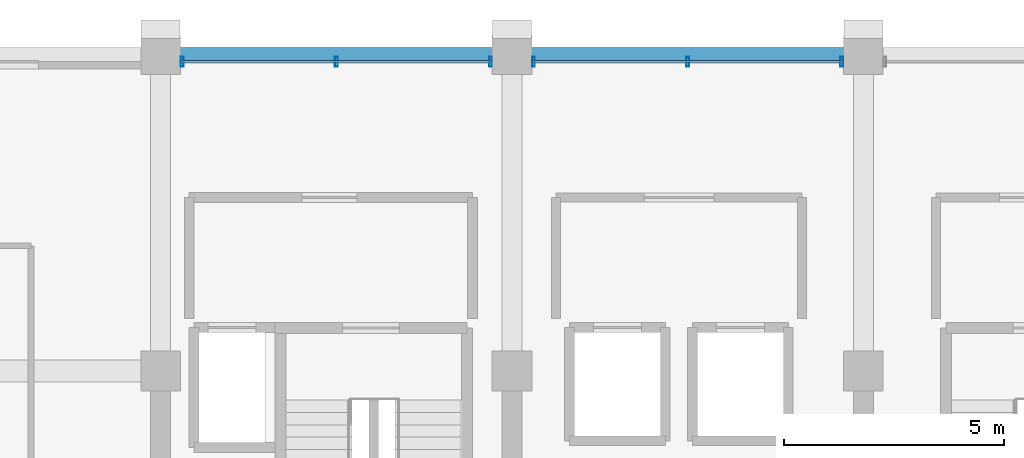
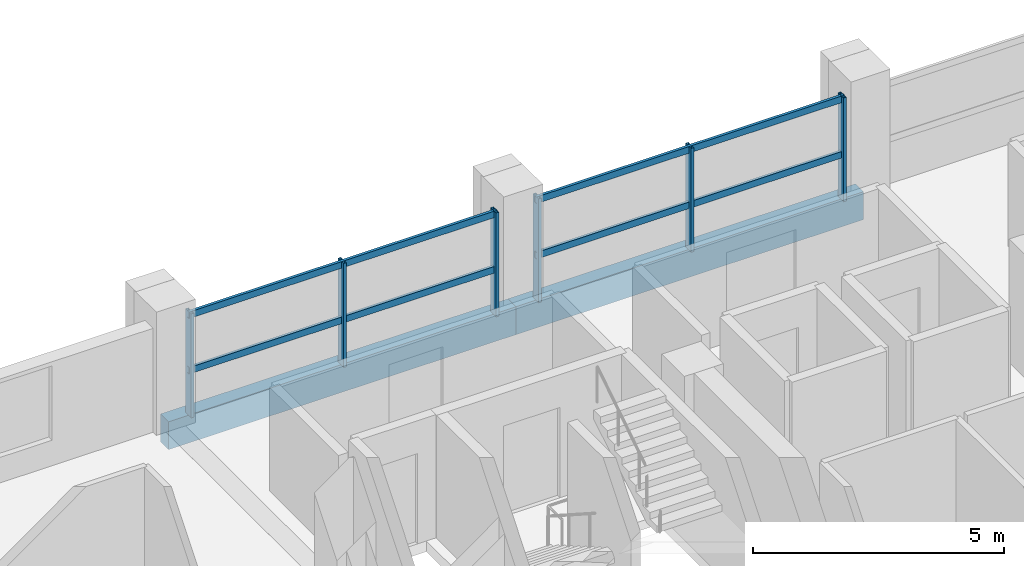
# One storey, part 10 of 22: 10 members, 2 beams, 2 elements without a shape of their own.
"""IFC4 building model written with IfcOpenShell, lengths in metres."""

from ifc_helpers import new_model, si_unit, direction, frame, origin, origin_2d, place, context, subcontext, project, spatial, rectangle, hollow_rectangle, extrude, material, material_profile, profile_set, type_object, element, aggregate, save


model = new_model("IFC4")

# Units and contexts
model_context = context("Model", 3, precision=1e-05, world=origin(), true_north=direction((0.0, 1.0)))
body_context = subcontext(model_context, "Body", "Model", "MODEL_VIEW")
ifc_project = project(units=[si_unit("LENGTHUNIT", "METRE"), si_unit("AREAUNIT", "SQUARE_METRE"), si_unit("VOLUMEUNIT", "CUBIC_METRE"), si_unit("PLANEANGLEUNIT", "RADIAN"), si_unit("MASSUNIT", "GRAM", prefix="KILO")], contexts=[model_context])

# Site, building, storey
site_placement = place(None, origin())
site = spatial("IfcSite", under=ifc_project, at=site_placement, CompositionType="ELEMENT")
building_placement = place(site_placement, origin())
building = spatial("IfcBuilding", under=site, at=building_placement, Name="Akrevak Sports Hall", CompositionType="ELEMENT")
storey_placement = place(building_placement, frame((0.0, 0.0, 30.800048828125)))
storey = spatial("IfcBuildingStorey", under=building, at=storey_placement, Name="L06", CompositionType="ELEMENT", Elevation=30.800048828125)

# Curtain wall, members
ifc_material_1 = material(Name="Anodized Bronze Aluminium & Low-E Glass", Category="aluminium")
curtain_wall_type = type_object("IfcCurtainWallType", Name="ARC-CW-TWR-64x30", PredefinedType="NOTDEFINED", material=ifc_material_1)
curtain_wall_1_placement = place(storey_placement, origin())
curtain_wall_1 = element("IfcCurtainWall", 1, at=curtain_wall_1_placement, inside=storey, type_object=curtain_wall_type, Name="Curtain Wall CW-L06-N24", PredefinedType="NOTDEFINED")
ifc_material_2 = material(Name="Anodized Bronze Aluminium", Category="aluminium")
ifc_material_profile_1 = material_profile(ifc_material_2, hollow_rectangle(XDim=0.06494140625, YDim=0.219970703125, WallThickness=0.00439453125, at=origin_2d()), Name="CWM 65x220", Category="aluminium")
ifc_profile_set_1 = profile_set([ifc_material_profile_1], Name="Anodized Bronze Aluminium")
member_type_1 = type_object("IfcMemberType", Name="ARC-CWM-70x160", PredefinedType="MULLION", material=ifc_profile_set_1)
member_1_placement = place(storey_placement, frame((75.510009765625, 69.43994140625, 0.0), z_axis=(0.0, 0.0, 1.0), x_axis=(-1.0, 0.0, 0.0)))
member_1 = element("IfcMember", 2, at=member_1_placement, type_object=member_type_1, Name="Curtain Wall Mullion CW-L06-N24-M1", PredefinedType="MULLION", context=body_context, shape_type="SweptSolid", body=[
    extrude(hollow_rectangle(XDim=0.06494140625, YDim=0.219970703125, WallThickness=0.00439453125, at=origin_2d()), origin(), (0.0, 0.0, 1.0), 2.530029296875),
])
member_2_placement = place(storey_placement, frame((72.0, 69.43994140625, 0.0), z_axis=(0.0, 0.0, 1.0), x_axis=(-1.0, 0.0, 0.0)))
member_2 = element("IfcMember", 3, at=member_2_placement, type_object=member_type_1, Name="Curtain Wall Mullion CW-L06-N24-M2", PredefinedType="MULLION", context=body_context, shape_type="SweptSolid", body=[
    extrude(hollow_rectangle(XDim=0.06494140625, YDim=0.219970703125, WallThickness=0.00439453125, at=origin_2d()), origin(), (0.0, 0.0, 1.0), 2.530029296875),
])
member_3_placement = place(storey_placement, frame((68.489990234375, 69.43994140625, 0.0), z_axis=(0.0, 0.0, 1.0), x_axis=(-1.0, 0.0, 0.0)))
member_3 = element("IfcMember", 4, at=member_3_placement, type_object=member_type_1, Name="Curtain Wall Mullion CW-L06-N24-M3", PredefinedType="MULLION", context=body_context, shape_type="SweptSolid", body=[
    extrude(hollow_rectangle(XDim=0.06494140625, YDim=0.219970703125, WallThickness=0.00439453125, at=origin_2d()), origin(), (0.0, 0.0, 1.0), 2.530029296875),
])

curtain_wall_2_placement = place(storey_placement, origin())
curtain_wall_2 = element("IfcCurtainWall", 5, at=curtain_wall_2_placement, inside=storey, type_object=curtain_wall_type, Name="Curtain Wall CW-L06-N25", PredefinedType="NOTDEFINED")
member_4_placement = place(storey_placement, frame((67.510009765625, 69.43994140625, 0.0), z_axis=(0.0, 0.0, 1.0), x_axis=(-1.0, 0.0, 0.0)))
member_4 = element("IfcMember", 6, at=member_4_placement, type_object=member_type_1, Name="Curtain Wall Mullion CW-L06-N25-M1", PredefinedType="MULLION", context=body_context, shape_type="SweptSolid", body=[
    extrude(hollow_rectangle(XDim=0.06494140625, YDim=0.219970703125, WallThickness=0.00439453125, at=origin_2d()), origin(), (0.0, 0.0, 1.0), 2.530029296875),
])
member_5_placement = place(storey_placement, frame((64.0, 69.43994140625, 0.0), z_axis=(0.0, 0.0, 1.0), x_axis=(-1.0, 0.0, 0.0)))
member_5 = element("IfcMember", 7, at=member_5_placement, type_object=member_type_1, Name="Curtain Wall Mullion CW-L06-N25-M2", PredefinedType="MULLION", context=body_context, shape_type="SweptSolid", body=[
    extrude(hollow_rectangle(XDim=0.06494140625, YDim=0.219970703125, WallThickness=0.00439453125, at=origin_2d()), origin(), (0.0, 0.0, 1.0), 2.530029296875),
])
member_6_placement = place(storey_placement, frame((60.489990234375, 69.43994140625, 0.0), z_axis=(0.0, 0.0, 1.0), x_axis=(-1.0, 0.0, 0.0)))
member_6 = element("IfcMember", 8, at=member_6_placement, type_object=member_type_1, Name="Curtain Wall Mullion CW-L06-N25-M3", PredefinedType="MULLION", context=body_context, shape_type="SweptSolid", body=[
    extrude(hollow_rectangle(XDim=0.06494140625, YDim=0.219970703125, WallThickness=0.00439453125, at=origin_2d()), origin(), (0.0, 0.0, 1.0), 2.530029296875),
])

# Member
ifc_material_profile_2 = material_profile(ifc_material_2, hollow_rectangle(XDim=0.06494140625, YDim=0.159912109375, WallThickness=0.00390625, at=origin_2d()), Name="CWT 65x160", Category="aluminium")
ifc_profile_set_2 = profile_set([ifc_material_profile_2], Name="Anodized Bronze Aluminium")
member_type_2 = type_object("IfcMemberType", Name="ARC-CWT-70x130", PredefinedType="USERDEFINED", material=ifc_profile_set_2)
member_7_placement = place(storey_placement, frame((75.550048828125, 69.43994140625, 1.099853515625), z_axis=(-1.0, 0.0, 0.0), x_axis=(0.0, -1.0, 0.0)))
member_7 = element("IfcMember", 9, at=member_7_placement, type_object=member_type_2, Name="Curtain Wall Transom CW-L06-N24-T1", ObjectType="TRANSOM", PredefinedType="USERDEFINED", context=body_context, shape_type="SweptSolid", body=[
    extrude(hollow_rectangle(XDim=0.06494140625, YDim=0.159912109375, WallThickness=0.00390625, at=origin_2d()), origin(), (0.0, 0.0, 1.0), 7.10009765625),
])

member_8_placement = place(storey_placement, frame((75.550048828125, 69.43994140625, 2.449951171875), z_axis=(-1.0, 0.0, 0.0), x_axis=(0.0, -1.0, 0.0)))
member_8 = element("IfcMember", 10, at=member_8_placement, type_object=member_type_2, Name="Curtain Wall Transom CW-L06-N24-T2", ObjectType="TRANSOM", PredefinedType="USERDEFINED", context=body_context, shape_type="SweptSolid", body=[
    extrude(hollow_rectangle(XDim=0.06494140625, YDim=0.159912109375, WallThickness=0.00390625, at=origin_2d()), origin(), (0.0, 0.0, 1.0), 7.10009765625),
])

aggregate(curtain_wall_1, [member_1, member_2, member_3, member_7, member_8])

member_9_placement = place(storey_placement, frame((67.550048828125, 69.43994140625, 1.099853515625), z_axis=(-1.0, 0.0, 0.0), x_axis=(0.0, -1.0, 0.0)))
member_9 = element("IfcMember", 11, at=member_9_placement, type_object=member_type_2, Name="Curtain Wall Transom CW-L06-N25-T1", ObjectType="TRANSOM", PredefinedType="USERDEFINED", context=body_context, shape_type="SweptSolid", body=[
    extrude(hollow_rectangle(XDim=0.06494140625, YDim=0.159912109375, WallThickness=0.00390625, at=origin_2d()), origin(), (0.0, 0.0, 1.0), 7.10009765625),
])

member_10_placement = place(storey_placement, frame((67.550048828125, 69.43994140625, 2.449951171875), z_axis=(-1.0, 0.0, 0.0), x_axis=(0.0, -1.0, 0.0)))
member_10 = element("IfcMember", 12, at=member_10_placement, type_object=member_type_2, Name="Curtain Wall Transom CW-L06-N25-T2", ObjectType="TRANSOM", PredefinedType="USERDEFINED", context=body_context, shape_type="SweptSolid", body=[
    extrude(hollow_rectangle(XDim=0.06494140625, YDim=0.159912109375, WallThickness=0.00390625, at=origin_2d()), origin(), (0.0, 0.0, 1.0), 7.10009765625),
])

aggregate(curtain_wall_2, [member_4, member_5, member_6, member_9, member_10])

# Beams
ifc_material_3 = material(Name="Concrete C40/50", Category="concrete")
ifc_material_profile_3 = material_profile(ifc_material_3, rectangle(XDim=0.320068359375, YDim=0.679931640625, at=origin_2d()), Name="SPD 320x680", Category="concrete")
ifc_profile_set_3 = profile_set([ifc_material_profile_3], Name="Concrete C40/50")
beam_type = type_object("IfcBeamType", Name="STR-SPD-RC320x680", PredefinedType="SPANDREL", material=ifc_profile_set_3)
for number, where, z_axis, x_axis, name in (
    (13, (60.0, 69.60009765625, -0.340087890625), (1.0, 0.0, 0.0), (0.0, 1.0, 0.0), "Girder K/9-10 (L06)"),
    (14, (68.0, 69.60009765625, -0.340087890625), (1.0, 0.0, 0.0), (0.0, 1.0, 0.0), "Girder K/10-11 (L06)"),
):
    element("IfcBeam", number, at=place(storey_placement, frame(where, z_axis=z_axis, x_axis=x_axis)), inside=storey, type_object=beam_type, Name=name, PredefinedType="SPANDREL", context=body_context, shape_type="SweptSolid", body=[
        extrude(rectangle(XDim=0.320068359375, YDim=0.679931640625, at=origin_2d()), origin(), (0.0, 0.0, 1.0), 8.0),
    ])

save(model, "model.ifc")
